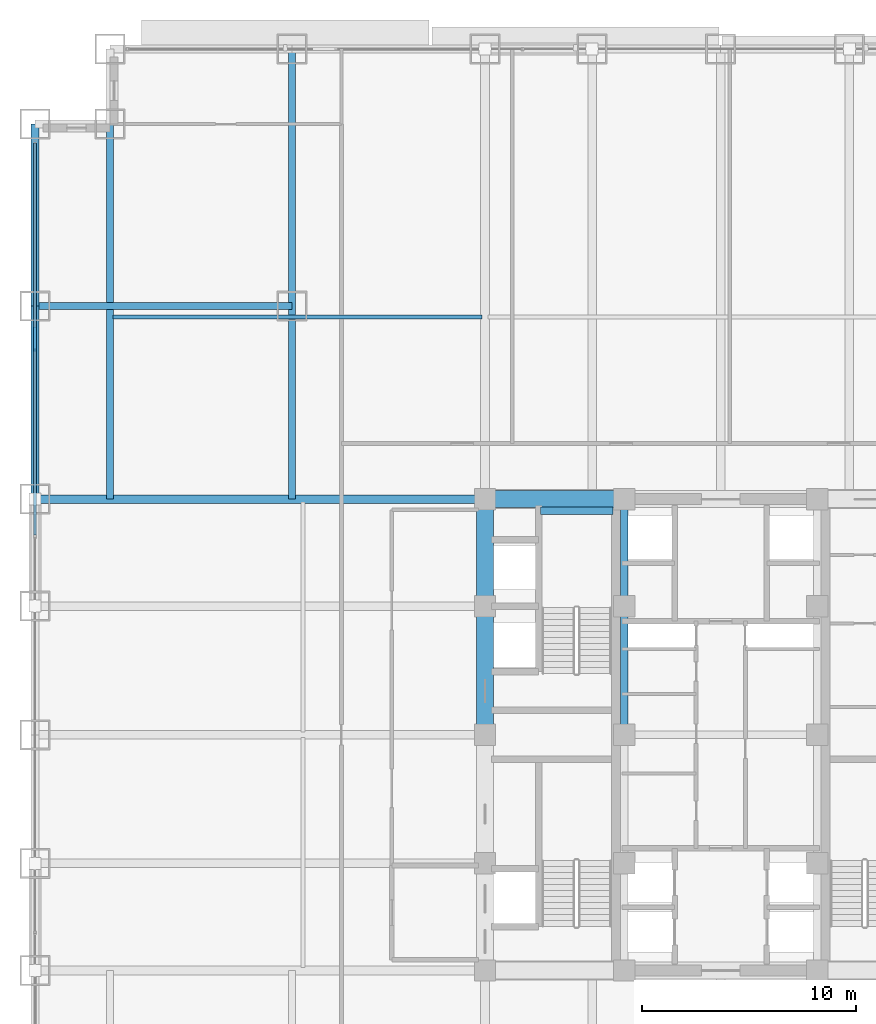
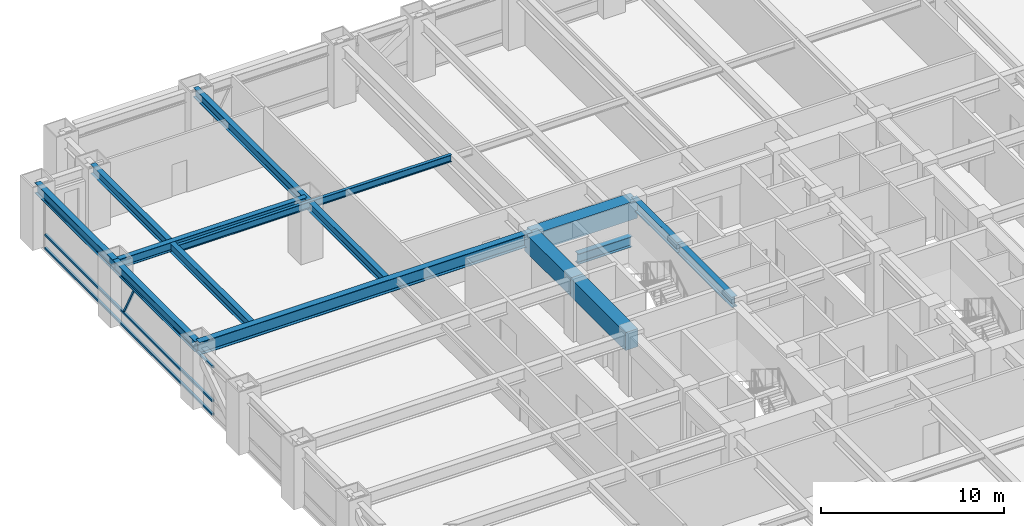
# One storey, part 13 of 31: 13 beams, 4 members, 1 element without a shape of its own.
"""IFC4 building model written with IfcOpenShell, lengths in metres."""

import ifcopenshell
import ifcopenshell.guid

model = None  # the IFC model being written
_history = None  # IfcOwnerHistory: only IFC2X3 demands one
_inside = {}  # id of a spatial element -> (the spatial element, [elements in it])
_under = {}  # id of a project, library or spatial element -> (it, [spatial elements below it])
_declared = {}  # id of a project -> (the project, [libraries it declares])
_typed = {}  # id of a type object -> (the type object, [elements of that type])
_made_of = {}  # id of a material, layer set ... -> (it, [elements and type objects made of it])


def new_model(schema):
    """Start an empty IFC model of exactly this schema.

    Asked for "IFC4X3", IfcOpenShell would pick the latest addendum, in which some entities
    have other attributes; the version numbers below select the first issue.
    IFC2X3 requires an IfcOwnerHistory on every rooted entity: one is made here for all.
    """
    global model, _history
    if schema == "IFC4X3":
        model = ifcopenshell.file(schema_version=(4, 3, 0, 0))
    else:
        model = ifcopenshell.file(schema=schema)
    _inside.clear()
    _under.clear()
    _declared.clear()
    _typed.clear()
    _made_of.clear()
    _history = None
    if model.schema == "IFC2X3":
        org = make("IfcOrganization", Name="unknown")
        user = make(
            "IfcPersonAndOrganization",
            ThePerson=make("IfcPerson", FamilyName="unknown"),
            TheOrganization=org,
        )
        app = make(
            "IfcApplication",
            ApplicationDeveloper=org,
            Version="unknown",
            ApplicationFullName="unknown",
            ApplicationIdentifier="unknown",
        )
        _history = make(
            "IfcOwnerHistory",
            OwningUser=user,
            OwningApplication=app,
            ChangeAction="ADDED",
            CreationDate=0,
        )
    return model


def make(cls, **values):
    """One entity of the class cls with the attributes given. An attribute that is None is left unset."""
    return model.create_entity(
        cls, **{name: value for name, value in values.items() if value is not None}
    )


def rooted(cls, **values):
    """An entity with a GlobalId (a new one), such as an element, a storey or a relation."""
    return make(cls, GlobalId=ifcopenshell.guid.new(), OwnerHistory=_history, **values)


def si_unit(unit_type, name, prefix=None):
    """IfcSIUnit, for example si_unit("LENGTHUNIT", "METRE", prefix="MILLI")."""
    return make("IfcSIUnit", UnitType=unit_type, Prefix=prefix, Name=name)


def assignment(units):
    """IfcUnitAssignment: the units of a project."""
    return None if units is None else make("IfcUnitAssignment", Units=units)


def point(xyz):
    """IfcCartesianPoint."""
    return None if xyz is None else make("IfcCartesianPoint", Coordinates=xyz)


def direction(xyz):
    """IfcDirection."""
    return None if xyz is None else make("IfcDirection", DirectionRatios=xyz)


def frame(location, z_axis=None, x_axis=None):
    """IfcAxis2Placement3D, a coordinate frame: its origin and axes. An axis left out is left unset."""
    return make(
        "IfcAxis2Placement3D",
        Location=point(location),
        Axis=direction(z_axis),
        RefDirection=direction(x_axis),
    )


def frame_2d(location, x_axis=None):
    """IfcAxis2Placement2D, a coordinate frame in the plane: its origin and x axis."""
    return make(
        "IfcAxis2Placement2D", Location=point(location), RefDirection=direction(x_axis)
    )


def origin():
    """The frame at (0, 0, 0) with its axes left unset."""
    return frame((0.0, 0.0, 0.0))


def origin_2d():
    """The frame at (0, 0) in the plane with its x axis left unset."""
    return frame_2d((0.0, 0.0))


def place(relative_to, where):
    """IfcLocalPlacement: puts the frame where relative to a parent placement (None: the world)."""
    return make(
        "IfcLocalPlacement", PlacementRelTo=relative_to, RelativePlacement=where
    )


def context(
    kind, dimensions, precision=None, world=None, true_north=None, identifier=None
):
    """IfcGeometricRepresentationContext, for example the 3D "Model" context."""
    return make(
        "IfcGeometricRepresentationContext",
        ContextIdentifier=identifier,
        ContextType=kind,
        CoordinateSpaceDimension=dimensions,
        Precision=precision,
        WorldCoordinateSystem=world,
        TrueNorth=true_north,
    )


def subcontext(parent, identifier, kind, view, scale=None):
    """IfcGeometricRepresentationSubContext, for example "Body" below "Model"."""
    return make(
        "IfcGeometricRepresentationSubContext",
        ContextIdentifier=identifier,
        ContextType=kind,
        ParentContext=parent,
        TargetScale=scale,
        TargetView=view,
    )


def project(units=None, contexts=None):
    """IfcProject with its units and contexts."""
    return rooted(
        "IfcProject",
        Name="project",
        RepresentationContexts=contexts,
        UnitsInContext=assignment(units),
    )


def spatial(cls, under=None, at=None, **own):
    """A site, building, storey or space (cls), placed at a placement, below another one or the project."""
    s = rooted(cls, ObjectPlacement=at, **own)
    if under is not None:
        _under.setdefault(under.id(), (under, []))[1].append(s)
    return s


def profile(cls, at=None, kind="AREA", **sizes):
    """A parametric profile (cls). Its sizes go by their IFC names, for example OverallWidth=200.0."""
    return make(cls, ProfileType=kind, Position=at, **sizes)


def rectangle(**sizes):
    """IfcRectangleProfileDef."""
    return profile("IfcRectangleProfileDef", **sizes)


def hollow_rectangle(**sizes):
    """IfcRectangleHollowProfileDef."""
    return profile("IfcRectangleHollowProfileDef", **sizes)


def i_section(**sizes):
    """IfcIShapeProfileDef."""
    return profile("IfcIShapeProfileDef", **sizes)


def extrude(swept, where, along, depth):
    """IfcExtrudedAreaSolid: the profile swept, set in the frame where, extruded along a direction by depth."""
    return make(
        "IfcExtrudedAreaSolid",
        SweptArea=swept,
        Position=where,
        ExtrudedDirection=direction(along),
        Depth=depth,
    )


def shape(context_of_items, identifier, shape_type, items):
    """IfcShapeRepresentation: the items that make up one representation, for example the "Body"."""
    return make(
        "IfcShapeRepresentation",
        ContextOfItems=context_of_items,
        RepresentationIdentifier=identifier,
        RepresentationType=shape_type,
        Items=items,
    )


def source(mapping_origin, context_of_items, identifier, shape_type, items):
    """IfcRepresentationMap: a shape defined once, which mapped items show again and again."""
    return make(
        "IfcRepresentationMap",
        MappingOrigin=mapping_origin,
        MappedRepresentation=shape(context_of_items, identifier, shape_type, items),
    )


def transform(
    local_origin,
    x_axis=None,
    y_axis=None,
    z_axis=None,
    scale=None,
    scale2=None,
    scale3=None,
    uniform=True,
):
    """IfcCartesianTransformationOperator3D, or its non-uniform kind. x_axis, y_axis, z_axis: its Axis1, 2, 3."""
    if uniform:
        return make(
            "IfcCartesianTransformationOperator3D",
            Axis1=direction(x_axis),
            Axis2=direction(y_axis),
            LocalOrigin=point(local_origin),
            Scale=scale,
            Axis3=direction(z_axis),
        )
    return make(
        "IfcCartesianTransformationOperator3DnonUniform",
        Axis1=direction(x_axis),
        Axis2=direction(y_axis),
        LocalOrigin=point(local_origin),
        Scale=scale,
        Axis3=direction(z_axis),
        Scale2=scale2,
        Scale3=scale3,
    )


def mapped(mapping_source, mapping_target):
    """IfcMappedItem: shows the shape of a source again, moved by a transform."""
    return make(
        "IfcMappedItem", MappingSource=mapping_source, MappingTarget=mapping_target
    )


def material(Name=None, Category=None):
    """IfcMaterial."""
    return make("IfcMaterial", Name=Name, Category=Category)


def material_profile(
    of_material, cross_section, Name=None, Category=None, Priority=None
):
    """IfcMaterialProfile: a cross section and its material."""
    return make(
        "IfcMaterialProfile",
        Name=Name,
        Material=of_material,
        Profile=cross_section,
        Priority=Priority,
        Category=Category,
    )


def profile_set(profiles, Name=None, composite=None):
    """IfcMaterialProfileSet."""
    return make(
        "IfcMaterialProfileSet",
        Name=Name,
        MaterialProfiles=profiles,
        CompositeProfile=composite,
    )


def made_of(thing, what):
    """Note that an element or type object is made of a material, layer set ...; save() writes the relation."""
    if what is not None:
        _made_of.setdefault(what.id(), (what, []))[1].append(thing)
    return thing


def type_object(cls, material=None, **own):
    """A type object (cls), such as IfcWallType, which elements share."""
    return made_of(rooted(cls, **own), material)


def element(
    cls,
    number,
    at=None,
    inside=None,
    cuts=None,
    type_object=None,
    material=None,
    context=None,
    identifier="Body",
    shape_type=None,
    held_by="IfcProductDefinitionShape",
    body=None,
    shapes=None,
    **own,
):
    """One element of the class cls, such as IfcWall. Its Tag is "e" and its number.

    at: its placement. inside: the storey or other place that contains it. cuts: it is an
    opening in that element (IfcRelVoidsElement). A single representation is given by context,
    identifier, shape_type and body (its items); several are given by shapes. held_by: the class
    of the entity that holds the representations. save() writes the other relations.
    """
    e = rooted(cls, Tag="e%d" % number, ObjectPlacement=at, **own)
    if body is not None:
        shapes = [shape(context, identifier, shape_type, body)]
    if shapes is not None:
        e.Representation = make(held_by, Representations=shapes)
    if inside is not None:
        _inside.setdefault(inside.id(), (inside, []))[1].append(e)
    if cuts is not None:
        rooted(
            "IfcRelVoidsElement", RelatingBuildingElement=cuts, RelatedOpeningElement=e
        )
    if type_object is not None:
        _typed.setdefault(type_object.id(), (type_object, []))[1].append(e)
    return made_of(e, material)


def aggregate(whole, parts):
    """IfcRelAggregates: a whole, such as a stair, and the parts it consists of."""
    return rooted("IfcRelAggregates", RelatingObject=whole, RelatedObjects=parts)


def save(model, path):
    """Write the relations noted so far, then the file.

    IfcRelAggregates (storeys below a building ...), IfcRelContainedInSpatialStructure (elements
    in a storey), IfcRelDefinesByType, IfcRelAssociatesMaterial and IfcRelDeclares: one each for
    every whole, place, type object, material and project.
    """
    for whole, parts in _under.values():
        aggregate(whole, parts)
    for where, things in _inside.values():
        rooted(
            "IfcRelContainedInSpatialStructure",
            RelatedElements=things,
            RelatingStructure=where,
        )
    for kind, things in _typed.values():
        rooted("IfcRelDefinesByType", RelatedObjects=things, RelatingType=kind)
    for what, things in _made_of.values():
        rooted("IfcRelAssociatesMaterial", RelatedObjects=things, RelatingMaterial=what)
    for by, libraries in _declared.values():
        rooted("IfcRelDeclares", RelatingContext=by, RelatedDefinitions=libraries)
    model.write(path)


model = new_model("IFC4")

# Units and contexts
model_context = context("Model", 3, precision=1e-05, world=origin(), true_north=direction((0.0, 1.0)))
body_context = subcontext(model_context, "Body", "Model", "MODEL_VIEW")
ifc_project = project(units=[si_unit("LENGTHUNIT", "METRE"), si_unit("AREAUNIT", "SQUARE_METRE"), si_unit("VOLUMEUNIT", "CUBIC_METRE"), si_unit("PLANEANGLEUNIT", "RADIAN"), si_unit("MASSUNIT", "GRAM", prefix="KILO")], contexts=[model_context])

# Site, building, storey
site_placement = place(None, origin())
site = spatial("IfcSite", under=ifc_project, at=site_placement, CompositionType="ELEMENT")
building_placement = place(site_placement, origin())
building = spatial("IfcBuilding", under=site, at=building_placement, Name="Khorayat Bourse Tower", CompositionType="ELEMENT")
storey_placement = place(building_placement, frame((0.0, 0.0, 32.60009765625)))
storey = spatial("IfcBuildingStorey", under=building, at=storey_placement, Name="L06", CompositionType="ELEMENT", Elevation=32.60009765625)

# Beams
ifc_material_1 = material(Name="Concrete C72/90", Category="concrete")
ifc_material_profile_1 = material_profile(ifc_material_1, rectangle(XDim=0.800048828125, YDim=1.199951171875, at=origin_2d()), Name="RC 800x1200")
ifc_profile_set_1 = profile_set([ifc_material_profile_1], Name="Concrete C72/90")
beam_type_1 = type_object("IfcBeamType", Name="BM-COUP-1200", PredefinedType="BEAM", material=ifc_profile_set_1)
shared_shape_1 = source(origin(), body_context, "Body", "SweptSolid", [
    extrude(rectangle(XDim=0.800048828125, YDim=1.199951171875, at=origin_2d()), origin(), (0.0, 0.0, 1.0), 5.0),
])
beam_1_placement = place(storey_placement, frame((-11.0, 6.0, 3.33984375), z_axis=(0.0, 1.0, 0.0), x_axis=(-1.0, 0.0, 0.0)))
element("IfcBeam", 1, at=beam_1_placement, inside=storey, type_object=beam_type_1, Name="L06 BM-COUP-1200 BM-L06-CRX-04", PredefinedType="BEAM", context=body_context, shape_type="MappedRepresentation", body=[
    mapped(shared_shape_1, transform((0.0, 0.0, 0.0), scale=1.0)),
])
shared_shape_2 = source(origin(), body_context, "Body", "SweptSolid", [
    extrude(rectangle(XDim=0.800048828125, YDim=1.199951171875, at=origin_2d()), origin(), (0.0, 0.0, 1.0), 6.0),
])
beam_2_placement = place(storey_placement, frame((-11.0, 0.0, 3.33984375), z_axis=(0.0, 1.0, 0.0), x_axis=(-1.0, 0.0, 0.0)))
element("IfcBeam", 2, at=beam_2_placement, inside=storey, type_object=beam_type_1, Name="L06 BM-COUP-1200 BM-L06-CRX-03", PredefinedType="BEAM", context=body_context, shape_type="MappedRepresentation", body=[
    mapped(shared_shape_2, transform((0.0, 0.0, 0.0), scale=1.0)),
])
ifc_material_2 = material(Name="Steel ASTM A992 Grade 50", Category="steel")
ifc_material_profile_2 = material_profile(ifc_material_2, i_section(OverallWidth=0.35498046875, OverallDepth=0.695068359375, WebThickness=0.015380859375, FlangeThickness=0.02490234375, FilletRadius=0.01806640625, at=origin_2d()), Name="W690X217")
ifc_profile_set_2 = profile_set([ifc_material_profile_2], Name="Steel ASTM A992 Grade 50")
beam_type_2 = type_object("IfcBeamType", Name="BM-GIRD-690", PredefinedType="BEAM", material=ifc_profile_set_2)
shared_shape_3 = source(origin(), body_context, "Body", "SweptSolid", [
    extrude(i_section(OverallWidth=0.35498046875, OverallDepth=0.695068359375, WebThickness=0.015380859375, FlangeThickness=0.02490234375, FilletRadius=0.01806640625, at=origin_2d()), origin(), (0.0, 0.0, 1.0), 5.0),
])
beam_3_placement = place(storey_placement, frame((-4.5, 6.0, 3.59228515625), z_axis=(0.0, 1.0, 0.0), x_axis=(-1.0, 0.0, 0.0)))
element("IfcBeam", 3, at=beam_3_placement, inside=storey, type_object=beam_type_2, Name="L06 BM-GIRD-690 BM-L06-CRX-08", PredefinedType="BEAM", context=body_context, shape_type="MappedRepresentation", body=[
    mapped(shared_shape_3, transform((0.0, 0.0, 0.0), scale=1.0)),
])
shared_shape_4 = source(origin(), body_context, "Body", "SweptSolid", [
    extrude(i_section(OverallWidth=0.35498046875, OverallDepth=0.695068359375, WebThickness=0.015380859375, FlangeThickness=0.02490234375, FilletRadius=0.01806640625, at=origin_2d()), origin(), (0.0, 0.0, 1.0), 6.0),
])
beam_4_placement = place(storey_placement, frame((-4.5, 0.0, 3.59228515625), z_axis=(0.0, 1.0, 0.0), x_axis=(-1.0, 0.0, 0.0)))
element("IfcBeam", 4, at=beam_4_placement, inside=storey, type_object=beam_type_2, Name="L06 BM-GIRD-690 BM-L06-CRX-07", PredefinedType="BEAM", context=body_context, shape_type="MappedRepresentation", body=[
    mapped(shared_shape_4, transform((0.0, 0.0, 0.0), scale=1.0)),
])
shared_shape_5 = source(origin(), body_context, "Body", "SweptSolid", [
    extrude(rectangle(XDim=0.800048828125, YDim=1.199951171875, at=origin_2d()), origin(), (0.0, 0.0, 1.0), 6.5),
])
beam_5_placement = place(storey_placement, frame((-11.0, 11.0, 3.33984375), z_axis=(1.0, 0.0, 0.0), x_axis=(0.0, 1.0, 0.0)))
element("IfcBeam", 5, at=beam_5_placement, inside=storey, type_object=beam_type_1, Name="L06 BM-COUP-1200 BM-L06-CRY-20", PredefinedType="BEAM", context=body_context, shape_type="MappedRepresentation", body=[
    mapped(shared_shape_5, transform((0.0, 0.0, 0.0), scale=1.0)),
])
shared_shape_6 = source(origin(), body_context, "Body", "SweptSolid", [
    extrude(i_section(OverallWidth=0.35498046875, OverallDepth=0.695068359375, WebThickness=0.015380859375, FlangeThickness=0.02490234375, FilletRadius=0.01806640625, at=origin_2d()), origin(), (0.0, 0.0, 1.0), 3.39990234375),
])
beam_6_placement = place(storey_placement, frame((-8.419921875, 10.449951171875, 1.552490234375), z_axis=(1.0, 0.0, 0.0), x_axis=(0.0, 1.0, 0.0)))
element("IfcBeam", 6, at=beam_6_placement, inside=storey, type_object=beam_type_2, Name="L06 BM-GIRD-690 BM-L06-ST2L", PredefinedType="BEAM", context=body_context, shape_type="MappedRepresentation", body=[
    mapped(shared_shape_6, transform((0.0, 0.0, 0.0), scale=1.0)),
])
ifc_material_profile_3 = material_profile(ifc_material_2, i_section(OverallWidth=0.35498046875, OverallDepth=0.695068359375, WebThickness=0.015380859375, FlangeThickness=0.02490234375, FilletRadius=0.01806640625, at=origin_2d()), Name="W690X217")
ifc_profile_set_3 = profile_set([ifc_material_profile_3], Name="Steel ASTM A992 Grade 50")
beam_type_3 = type_object("IfcBeamType", Name="BM-SPAN-690", PredefinedType="SPANDREL", material=ifc_profile_set_3)
shared_shape_7 = source(origin(), body_context, "Body", "SweptSolid", [
    extrude(i_section(OverallWidth=0.35498046875, OverallDepth=0.695068359375, WebThickness=0.015380859375, FlangeThickness=0.02490234375, FilletRadius=0.01806640625, at=origin_2d()), origin(), (0.0, 0.0, 1.0), 8.5),
])
beam_7_placement = place(storey_placement, frame((-32.0, 20.0, 3.59228515625), z_axis=(0.0, 1.0, 0.0), x_axis=(-1.0, 0.0, 0.0)))
element("IfcBeam", 7, at=beam_7_placement, inside=storey, type_object=beam_type_3, Name="L06 BM-SPAN-690 BM-L06-SPN-054", PredefinedType="SPANDREL", context=body_context, shape_type="MappedRepresentation", body=[
    mapped(shared_shape_7, transform((0.0, 0.0, 0.0), scale=1.0)),
])
shared_shape_8 = source(origin(), body_context, "Body", "SweptSolid", [
    extrude(i_section(OverallWidth=0.35498046875, OverallDepth=0.695068359375, WebThickness=0.015380859375, FlangeThickness=0.02490234375, FilletRadius=0.01806640625, at=origin_2d()), origin(), (0.0, 0.0, 1.0), 9.0),
])
beam_8_placement = place(storey_placement, frame((-32.0, 11.0, 3.59228515625), z_axis=(0.0, 1.0, 0.0), x_axis=(-1.0, 0.0, 0.0)))
element("IfcBeam", 8, at=beam_8_placement, inside=storey, type_object=beam_type_3, Name="L06 BM-SPAN-690 BM-L06-SPN-055", PredefinedType="SPANDREL", context=body_context, shape_type="MappedRepresentation", body=[
    mapped(shared_shape_8, transform((0.0, 0.0, 0.0), scale=1.0)),
])
ifc_material_profile_4 = material_profile(ifc_material_2, i_section(OverallWidth=0.39990234375, OverallDepth=0.85498046875, WebThickness=0.018310546875, FlangeThickness=0.029296875, FilletRadius=0.02001953125, at=origin_2d()), Name="W840X299")
ifc_profile_set_4 = profile_set([ifc_material_profile_4], Name="Steel ASTM A992 Grade 50")
beam_type_4 = type_object("IfcBeamType", Name="BM-GIRD-840", PredefinedType="BEAM", material=ifc_profile_set_4)
shared_shape_9 = source(origin(), body_context, "Body", "SweptSolid", [
    extrude(i_section(OverallWidth=0.39990234375, OverallDepth=0.85498046875, WebThickness=0.018310546875, FlangeThickness=0.029296875, FilletRadius=0.02001953125, at=origin_2d()), origin(), (0.0, 0.0, 1.0), 21.0),
])
beam_9_placement = place(storey_placement, frame((-32.0, 11.0, 3.512451171875), z_axis=(1.0, 0.0, 0.0), x_axis=(0.0, 1.0, 0.0)))
element("IfcBeam", 9, at=beam_9_placement, inside=storey, type_object=beam_type_4, Name="L06 BM-GIRD-840 BM-L06-RADX-083", PredefinedType="BEAM", context=body_context, shape_type="MappedRepresentation", body=[
    mapped(shared_shape_9, transform((0.0, 0.0, 0.0), scale=1.0)),
])
ifc_material_profile_5 = material_profile(ifc_material_2, i_section(OverallWidth=0.324951171875, OverallDepth=0.615966796875, WebThickness=0.013916015625, FlangeThickness=0.021484375, FilletRadius=0.01611328125, at=origin_2d()), Name="W610X174")
ifc_profile_set_5 = profile_set([ifc_material_profile_5], Name="Steel ASTM A992 Grade 50")
beam_type_5 = type_object("IfcBeamType", Name="BM-GIRD-610", PredefinedType="BEAM", material=ifc_profile_set_5)
shared_shape_10 = source(origin(), body_context, "Body", "SweptSolid", [
    extrude(i_section(OverallWidth=0.324951171875, OverallDepth=0.615966796875, WebThickness=0.013916015625, FlangeThickness=0.021484375, FilletRadius=0.01611328125, at=origin_2d()), origin(), (0.0, 0.0, 1.0), 21.0),
])
beam_10_placement = place(storey_placement, frame((-20.0, 11.0, 3.6318359375), z_axis=(0.0, 1.0, 0.0), x_axis=(-1.0, 0.0, 0.0)))
element("IfcBeam", 10, at=beam_10_placement, inside=storey, type_object=beam_type_5, Name="L06 BM-GIRD-610 BM-L06-CNRY-085", PredefinedType="BEAM", context=body_context, shape_type="MappedRepresentation", body=[
    mapped(shared_shape_10, transform((0.0, 0.0, 0.0), scale=1.0)),
])
shared_shape_11 = source(origin(), body_context, "Body", "SweptSolid", [
    extrude(i_section(OverallWidth=0.324951171875, OverallDepth=0.615966796875, WebThickness=0.013916015625, FlangeThickness=0.021484375, FilletRadius=0.01611328125, at=origin_2d()), origin(), (0.0, 0.0, 1.0), 17.5),
])
beam_11_placement = place(storey_placement, frame((-28.5, 11.0, 3.6318359375), z_axis=(0.0, 1.0, 0.0), x_axis=(-1.0, 0.0, 0.0)))
element("IfcBeam", 11, at=beam_11_placement, inside=storey, type_object=beam_type_5, Name="L06 BM-GIRD-610 BM-L06-CNRY-089", PredefinedType="BEAM", context=body_context, shape_type="MappedRepresentation", body=[
    mapped(shared_shape_11, transform((0.0, 0.0, 0.0), scale=1.0)),
])
shared_shape_12 = source(origin(), body_context, "Body", "SweptSolid", [
    extrude(i_section(OverallWidth=0.324951171875, OverallDepth=0.615966796875, WebThickness=0.013916015625, FlangeThickness=0.021484375, FilletRadius=0.01611328125, at=origin_2d()), origin(), (0.0, 0.0, 1.0), 12.0),
])
beam_12_placement = place(storey_placement, frame((-32.0, 20.0, 3.6318359375), z_axis=(1.0, 0.0, 0.0), x_axis=(0.0, 1.0, 0.0)))
element("IfcBeam", 12, at=beam_12_placement, inside=storey, type_object=beam_type_5, Name="L06 BM-GIRD-610 BM-L06-CNRX-095", PredefinedType="BEAM", context=body_context, shape_type="MappedRepresentation", body=[
    mapped(shared_shape_12, transform((0.0, 0.0, 0.0), scale=1.0)),
])
ifc_material_profile_6 = material_profile(ifc_material_2, i_section(OverallWidth=0.194091796875, OverallDepth=0.468994140625, WebThickness=0.0126953125, FlangeThickness=0.0205078125, FilletRadius=0.012939453125, at=origin_2d()), Name="W460X106")
ifc_profile_set_6 = profile_set([ifc_material_profile_6], Name="Steel ASTM A992 Grade 50")
beam_type_6 = type_object("IfcBeamType", Name="BM-JOIST-460", PredefinedType="JOIST", material=ifc_profile_set_6)
shared_shape_13 = source(origin(), body_context, "Body", "SweptSolid", [
    extrude(i_section(OverallWidth=0.194091796875, OverallDepth=0.468994140625, WebThickness=0.0126953125, FlangeThickness=0.0205078125, FilletRadius=0.012939453125, at=origin_2d()), origin(), (0.0, 0.0, 1.0), 17.240234375),
])
beam_13_placement = place(storey_placement, frame((-28.3701171875, 19.5, 3.705322265625), z_axis=(1.0, 0.0, 0.0), x_axis=(0.0, 1.0, 0.0)))
element("IfcBeam", 13, at=beam_13_placement, inside=storey, type_object=beam_type_6, Name="L06 BM-JOIST-460 BM-L06-JSTX-099", PredefinedType="JOIST", context=body_context, shape_type="MappedRepresentation", body=[
    mapped(shared_shape_13, transform((0.0, 0.0, 0.0), scale=1.0)),
])

# Curtain wall, members
ifc_material_3 = material(Name="Aluminium EN AW-6063 T6", Category="aluminium")
curtain_wall_type = type_object("IfcCurtainWallType", Name="CW-SYS-02", PredefinedType="NOTDEFINED", material=ifc_material_3)
curtain_wall_placement = place(storey_placement, origin())
curtain_wall = element("IfcCurtainWall", 14, at=curtain_wall_placement, inside=storey, type_object=curtain_wall_type, Name="L06 Curtain Wall CW-L06-W1", PredefinedType="NOTDEFINED")
ifc_material_profile_7 = material_profile(ifc_material_3, hollow_rectangle(XDim=0.139892578125, YDim=0.139892578125, WallThickness=0.006103515625, at=origin_2d()), Name="ALU 140x140x6")
ifc_profile_set_7 = profile_set([ifc_material_profile_7], Name="Aluminium EN AW-6063 T6")
member_type_1 = type_object("IfcMemberType", Name="CWT-HORZ-140", PredefinedType="USERDEFINED", material=ifc_profile_set_7)
shared_shape_14 = source(origin(), body_context, "Body", "SweptSolid", [
    extrude(hollow_rectangle(XDim=0.139892578125, YDim=0.139892578125, WallThickness=0.006103515625, at=origin_2d()), origin(), (0.0, 0.0, 1.0), 18.2900390625),
])
member_1_placement = place(storey_placement, frame((-32.0, 9.320068359375, 0.06982421875), z_axis=(0.0, 1.0, 0.0), x_axis=(-1.0, 0.0, 0.0)))
member_1 = element("IfcMember", 15, at=member_1_placement, type_object=member_type_1, Name="CW-L06-W1 Horizontal Transom 3-1", ObjectType="TRANSOM", PredefinedType="USERDEFINED", context=body_context, shape_type="MappedRepresentation", body=[
    mapped(shared_shape_14, transform((0.0, 0.0, 0.0), scale=1.0)),
])
member_2_placement = place(storey_placement, frame((-32.0, 9.320068359375, 0.949951171875), z_axis=(0.0, 1.0, 0.0), x_axis=(-1.0, 0.0, 0.0)))
member_2 = element("IfcMember", 16, at=member_2_placement, type_object=member_type_1, Name="CW-L06-W1 Horizontal Transom 3-2", ObjectType="TRANSOM", PredefinedType="USERDEFINED", context=body_context, shape_type="MappedRepresentation", body=[
    mapped(shared_shape_14, transform((0.0, 0.0, 0.0), scale=1.0)),
])
member_3_placement = place(storey_placement, frame((-32.0, 9.320068359375, 3.219970703125), z_axis=(0.0, 1.0, 0.0), x_axis=(-1.0, 0.0, 0.0)))
member_3 = element("IfcMember", 17, at=member_3_placement, type_object=member_type_1, Name="CW-L06-W1 Horizontal Transom 3-3", ObjectType="TRANSOM", PredefinedType="USERDEFINED", context=body_context, shape_type="MappedRepresentation", body=[
    mapped(shared_shape_14, transform((0.0, 0.0, 0.0), scale=1.0)),
])
ifc_material_profile_8 = material_profile(ifc_material_3, hollow_rectangle(XDim=0.1201171875, YDim=0.1201171875, WallThickness=0.0048828125, at=origin_2d()), Name="ALU 120x120x5")
ifc_profile_set_8 = profile_set([ifc_material_profile_8], Name="Aluminium EN AW-6063 T6")
member_type_2 = type_object("IfcMemberType", Name="CWM-DIAG-120", PredefinedType="MULLION", material=ifc_profile_set_8)
shared_shape_15 = source(origin(), body_context, "Body", "SweptSolid", [
    extrude(hollow_rectangle(XDim=0.1201171875, YDim=0.1201171875, WallThickness=0.0048828125, at=origin_2d()), origin(), (0.0, 0.0, 1.0), 2.22607421875),
])
member_4_placement = place(storey_placement, frame((-32.0, 18.9833984375, 1.099853515625), z_axis=(0.0, -0.465759992596, 0.884911085532), x_axis=(1.0, 0.0, 0.0)))
member_4 = element("IfcMember", 18, at=member_4_placement, type_object=member_type_2, Name="CW-L06-W1 Faceted Diagonal Mullion 3", PredefinedType="MULLION", context=body_context, shape_type="MappedRepresentation", body=[
    mapped(shared_shape_15, transform((0.0, 0.0, 0.0), scale=1.0)),
])
aggregate(curtain_wall, [member_1, member_2, member_3, member_4])

save(model, "model.ifc")
